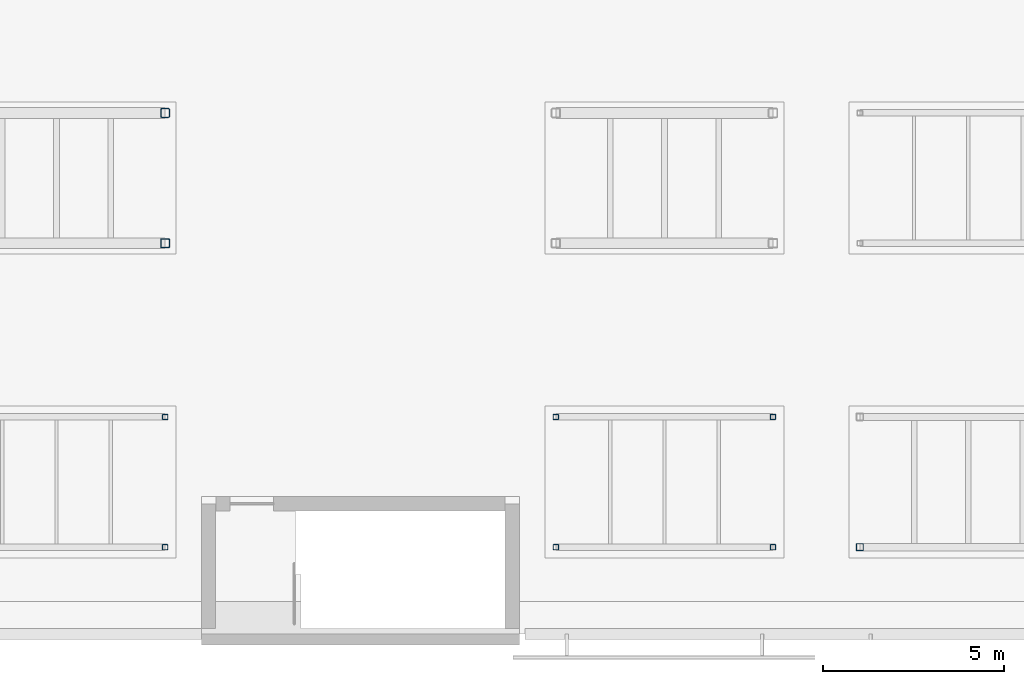
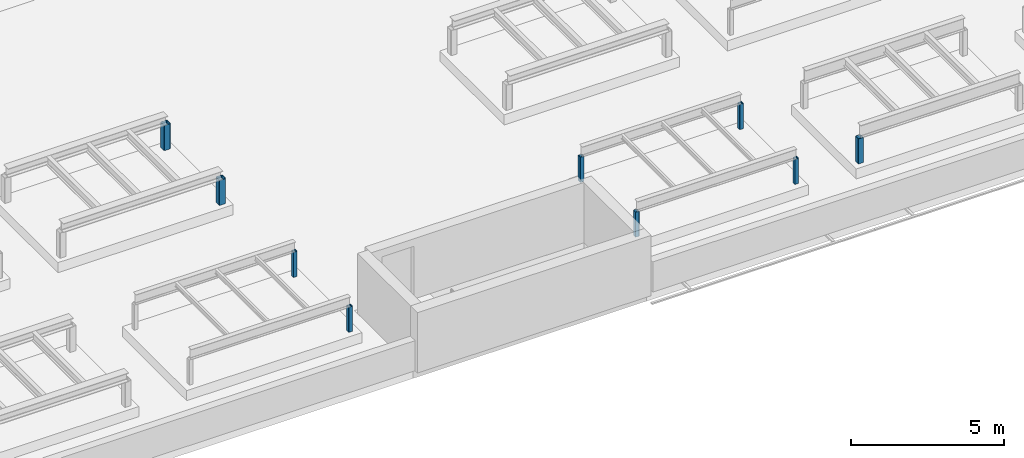
# One storey, part 5 of 18: 9 columns.
"""IFC4 building model written with IfcOpenShell, lengths in metres."""

from ifc_helpers import new_model, si_unit, direction, frame, origin, origin_2d, place, context, subcontext, project, spatial, hollow_rectangle, extrude, material, material_profile, profile_set, type_object, element, save


model = new_model("IFC4")

# Units and contexts
model_context = context("Model", 3, precision=1e-05, world=origin(), true_north=direction((0.0, 1.0)))
body_context = subcontext(model_context, "Body", "Model", "MODEL_VIEW")
ifc_project = project(units=[si_unit("LENGTHUNIT", "METRE"), si_unit("AREAUNIT", "SQUARE_METRE"), si_unit("VOLUMEUNIT", "CUBIC_METRE"), si_unit("PLANEANGLEUNIT", "RADIAN"), si_unit("MASSUNIT", "GRAM", prefix="KILO")], contexts=[model_context])

# Site, building, storey
site_placement = place(None, origin())
site = spatial("IfcSite", under=ifc_project, at=site_placement, CompositionType="ELEMENT")
building_placement = place(site_placement, origin())
building = spatial("IfcBuilding", under=site, at=building_placement, Name="Yavir Park General Hospital", CompositionType="ELEMENT")
storey_placement = place(building_placement, frame((0.0, 0.0, 29.699951171875)))
storey = spatial("IfcBuildingStorey", under=building, at=storey_placement, Name="RF", CompositionType="ELEMENT", Elevation=29.699951171875)

# Columns
ifc_material_1 = material(Name="Steel S355", Category="steel")
ifc_material_profile_1 = material_profile(ifc_material_1, hollow_rectangle(XDim=0.14990234375, YDim=0.14990234375, WallThickness=0.008056640625, InnerFilletRadius=0.011962890625, OuterFilletRadius=0.01611328125, at=origin_2d()), Name="SHS150x150x8")
ifc_profile_set_1 = profile_set([ifc_material_profile_1], Name="Steel S355")
column_type_1 = type_object("IfcColumnType", Name="SHS 150x150x8 platform column", PredefinedType="COLUMN", material=ifc_profile_set_1)
for number, where, z_axis, x_axis, name in (
    (1, (144.0, 2.39990234375, 0.400146484375), (0.0, 0.0, 1.0), (1.0, 0.0, 0.0), "C:PF:PP118A:0"),
    (2, (150.0, 2.39990234375, 0.400146484375), (0.0, 0.0, 1.0), (1.0, 0.0, 0.0), "C:PF:PP118A:1"),
    (3, (144.0, 6.0, 0.400146484375), (0.0, 0.0, 1.0), (1.0, 0.0, 0.0), "C:PF:PP118A:2"),
    (4, (150.0, 6.0, 0.400146484375), (0.0, 0.0, 1.0), (1.0, 0.0, 0.0), "C:PF:PP118A:3"),
    (5, (133.199951171875, 2.39990234375, 0.400146484375), (0.0, 0.0, 1.0), (1.0, 0.0, 0.0), "C:PF:PP216A:1"),
    (6, (133.199951171875, 6.0, 0.400146484375), (0.0, 0.0, 1.0), (1.0, 0.0, 0.0), "C:PF:PP216A:3"),
):
    element("IfcColumn", number, at=place(storey_placement, frame(where, z_axis=z_axis, x_axis=x_axis)), inside=storey, type_object=column_type_1, Name=name, PredefinedType="COLUMN", context=body_context, shape_type="SweptSolid", body=[
        extrude(hollow_rectangle(XDim=0.14990234375, YDim=0.14990234375, WallThickness=0.008056640625, InnerFilletRadius=0.011962890625, OuterFilletRadius=0.01611328125, at=origin_2d()), origin(), (0.0, 0.0, 1.0), 1.0),
    ])
ifc_material_2 = material(Name="Steel S355", Category="steel")
ifc_material_profile_2 = material_profile(ifc_material_2, hollow_rectangle(XDim=0.199951171875, YDim=0.199951171875, WallThickness=0.010009765625, InnerFilletRadius=0.014892578125, OuterFilletRadius=0.02001953125, at=origin_2d()), Name="SHS200x200x10")
ifc_profile_set_2 = profile_set([ifc_material_profile_2], Name="Steel S355")
column_type_2 = type_object("IfcColumnType", Name="SHS 200x200x10 platform column", PredefinedType="COLUMN", material=ifc_profile_set_2)
column_placement = place(storey_placement, frame((152.39990234375, 2.39990234375, 0.400146484375), z_axis=(0.0, 0.0, 1.0), x_axis=(1.0, 0.0, 0.0)))
element("IfcColumn", 7, at=column_placement, inside=storey, type_object=column_type_2, Name="C:PF:PP119A:0", PredefinedType="COLUMN", context=body_context, shape_type="SweptSolid", body=[
    extrude(hollow_rectangle(XDim=0.199951171875, YDim=0.199951171875, WallThickness=0.010009765625, InnerFilletRadius=0.014892578125, OuterFilletRadius=0.02001953125, at=origin_2d()), origin(), (0.0, 0.0, 1.0), 1.0),
])
ifc_material_3 = material(Name="Steel S355", Category="steel")
ifc_material_profile_3 = material_profile(ifc_material_3, hollow_rectangle(XDim=0.25, YDim=0.25, WallThickness=0.012451171875, InnerFilletRadius=0.02490234375, OuterFilletRadius=0.03125, at=origin_2d()), Name="SHS250x250x12.5")
ifc_profile_set_3 = profile_set([ifc_material_profile_3], Name="Steel S355")
column_type_3 = type_object("IfcColumnType", Name="SHS 250x250x12.5 platform column", PredefinedType="COLUMN", material=ifc_profile_set_3)
for number, where, z_axis, x_axis, name in (
    (8, (133.199951171875, 10.800048828125, 0.400146484375), (0.0, 0.0, 1.0), (1.0, 0.0, 0.0), "C:PF:PP216B:1"),
    (9, (133.199951171875, 14.39990234375, 0.400146484375), (0.0, 0.0, 1.0), (1.0, 0.0, 0.0), "C:PF:PP216B:3"),
):
    element("IfcColumn", number, at=place(storey_placement, frame(where, z_axis=z_axis, x_axis=x_axis)), inside=storey, type_object=column_type_3, Name=name, PredefinedType="COLUMN", context=body_context, shape_type="SweptSolid", body=[
        extrude(hollow_rectangle(XDim=0.25, YDim=0.25, WallThickness=0.012451171875, InnerFilletRadius=0.02490234375, OuterFilletRadius=0.03125, at=origin_2d()), origin(), (0.0, 0.0, 1.0), 1.0),
    ])

save(model, "model.ifc")
